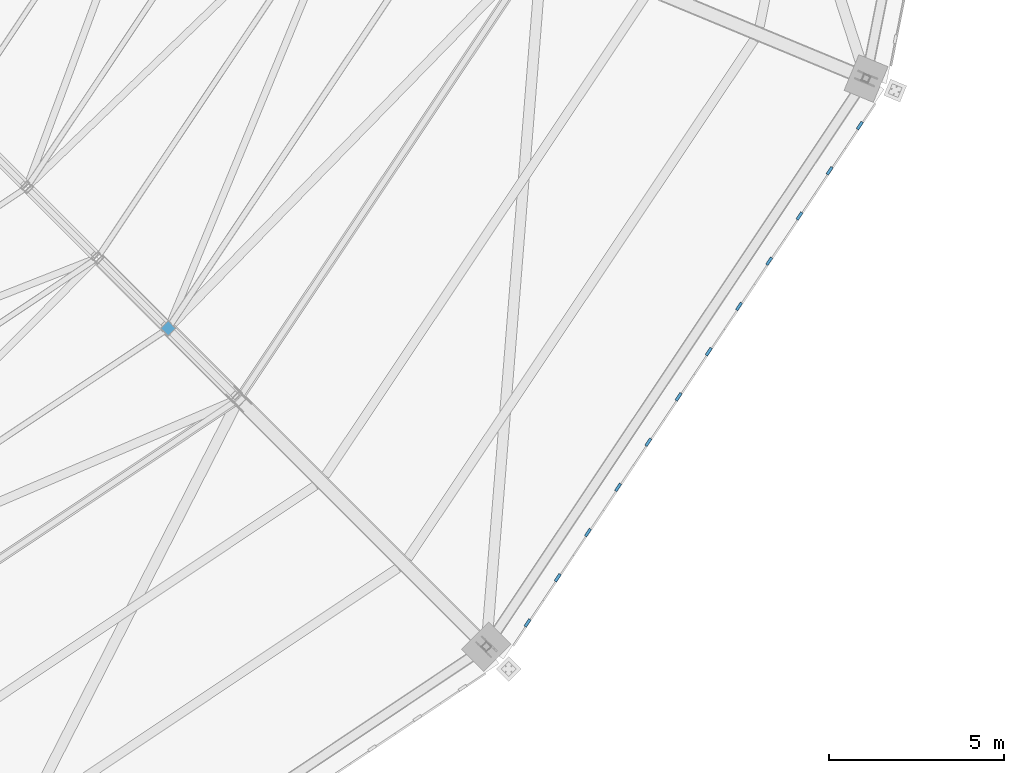
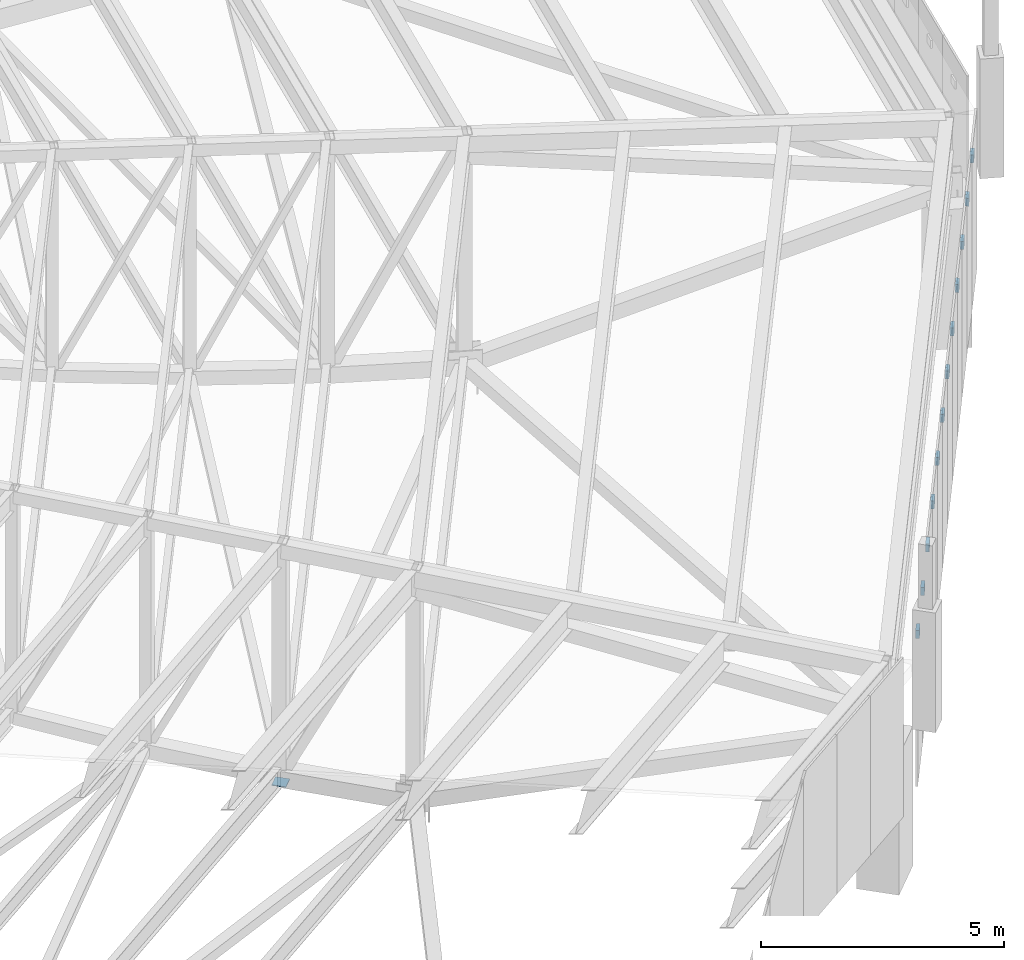
# One storey, part 178 of 278: 13 discrete accessories.
"""IFC4 building model written with IfcOpenShell, lengths in metres."""

from ifc_helpers import new_model, si_unit, direction, frame, origin, origin_2d, place, context, subcontext, project, spatial, rectangle, extrude, material, layer, layer_set, type_object, element, save


model = new_model("IFC4")

# Units and contexts
model_context = context("Model", 3, precision=1e-05, world=origin(), true_north=direction((0.0, 1.0)))
body_context = subcontext(model_context, "Body", "Model", "MODEL_VIEW")
ifc_project = project(units=[si_unit("LENGTHUNIT", "METRE"), si_unit("AREAUNIT", "SQUARE_METRE"), si_unit("VOLUMEUNIT", "CUBIC_METRE"), si_unit("PLANEANGLEUNIT", "RADIAN"), si_unit("MASSUNIT", "GRAM", prefix="KILO")], contexts=[model_context])

# Site, building, storey
site_placement = place(None, origin())
site = spatial("IfcSite", under=ifc_project, at=site_placement, CompositionType="ELEMENT")
building_placement = place(site_placement, origin())
building = spatial("IfcBuilding", under=site, at=building_placement, Name="Ogive Plaza Stadium", CompositionType="ELEMENT")
storey_placement = place(building_placement, frame((0.0, 0.0, 29.0)))
storey = spatial("IfcBuildingStorey", under=building, at=storey_placement, Name="Roof", CompositionType="ELEMENT", Elevation=29.0)

# Discrete accessories
ifc_material_1 = material(Name="Steel ASTM A992 Grade 50", Category="steel")
ifc_layer_1 = layer(ifc_material_1, 0.02001953125)
ifc_layer_set_1 = layer_set([ifc_layer_1], Name="Steel ASTM A992 Grade 50")
discrete_accessory_type_1 = type_object("IfcDiscreteAccessoryType", Name="Roof truss post cap plate 20", PredefinedType="ANCHORPLATE", material=ifc_layer_set_1)
discrete_accessory_placement = place(storey_placement, frame((60.26904296875, -78.76904296875, 0.04541015625), z_axis=(0.0, 0.0, 1.0), x_axis=(0.707106781187, -0.707106781187, 0.0)))
element("IfcDiscreteAccessory", 1, at=discrete_accessory_placement, inside=storey, type_object=discrete_accessory_type_1, Name="ROOF TRUSS POST CAP PLATE 10 10", PredefinedType="ANCHORPLATE", context=body_context, shape_type="SweptSolid", body=[
    extrude(rectangle(XDim=0.3046875, YDim=0.3046875, at=origin_2d()), origin(), (0.0, 0.0, 1.0), 0.02001953125),
])
ifc_material_2 = material(Name="Steel ASTM A572 Grade 50", Category="steel")
ifc_layer_2 = layer(ifc_material_2, 0.080078125)
ifc_layer_set_2 = layer_set([ifc_layer_2], Name="Steel ASTM A572 Grade 50")
discrete_accessory_type_2 = type_object("IfcDiscreteAccessoryType", Name="Tracery screen bracket 250x200", PredefinedType="BRACKET", material=ifc_layer_set_2)
for number, where, z_axis, x_axis, name in (
    (2, (80.015869140625, -72.9794921875, 5.25), (0.0, 0.0, 1.0), (-0.55557023302, -0.831469612303, 0.0), "TRACERY SCREEN BRACKET B09 1"),
    (3, (79.153564453125, -74.270263671875, 5.25), (0.0, 0.0, 1.0), (-0.55557023302, -0.831469612303, 0.0), "TRACERY SCREEN BRACKET B09 2"),
    (4, (78.291259765625, -75.560791015625, 5.25), (0.0, 0.0, 1.0), (-0.55557023302, -0.831469612303, 0.0), "TRACERY SCREEN BRACKET B09 3"),
    (5, (77.428955078125, -76.851318359375, 5.25), (0.0, 0.0, 1.0), (-0.55557023302, -0.831469612303, 0.0), "TRACERY SCREEN BRACKET B09 4"),
    (6, (76.566650390625, -78.141845703125, 5.25), (0.0, 0.0, 1.0), (-0.55557023302, -0.831469612303, 0.0), "TRACERY SCREEN BRACKET B09 5"),
    (7, (75.704345703125, -79.4326171875, 5.25), (0.0, 0.0, 1.0), (-0.55557023302, -0.831469612303, 0.0), "TRACERY SCREEN BRACKET B09 6"),
    (8, (74.841796875, -80.72314453125, 5.25), (0.0, 0.0, 1.0), (-0.55557023302, -0.831469612303, 0.0), "TRACERY SCREEN BRACKET B09 7"),
    (9, (73.9794921875, -82.013671875, 5.25), (0.0, 0.0, 1.0), (-0.55557023302, -0.831469612303, 0.0), "TRACERY SCREEN BRACKET B09 8"),
    (10, (73.1171875, -83.30419921875, 5.25), (0.0, 0.0, 1.0), (-0.55557023302, -0.831469612303, 0.0), "TRACERY SCREEN BRACKET B09 9"),
    (11, (72.2548828125, -84.5947265625, 5.25), (0.0, 0.0, 1.0), (-0.55557023302, -0.831469612303, 0.0), "TRACERY SCREEN BRACKET B09 10"),
    (12, (71.392578125, -85.885498046875, 5.25), (0.0, 0.0, 1.0), (-0.55557023302, -0.831469612303, 0.0), "TRACERY SCREEN BRACKET B09 11"),
    (13, (70.5302734375, -87.176025390625, 5.25), (0.0, 0.0, 1.0), (-0.55557023302, -0.831469612303, 0.0), "TRACERY SCREEN BRACKET B09 12"),
):
    element("IfcDiscreteAccessory", number, at=place(storey_placement, frame(where, z_axis=z_axis, x_axis=x_axis)), inside=storey, type_object=discrete_accessory_type_2, Name=name, PredefinedType="BRACKET", context=body_context, shape_type="SweptSolid", body=[
        extrude(rectangle(XDim=0.25, YDim=0.080078125, at=origin_2d()), origin(), (0.0, 0.0, 1.0), 0.199951171875),
    ])

save(model, "model.ifc")
